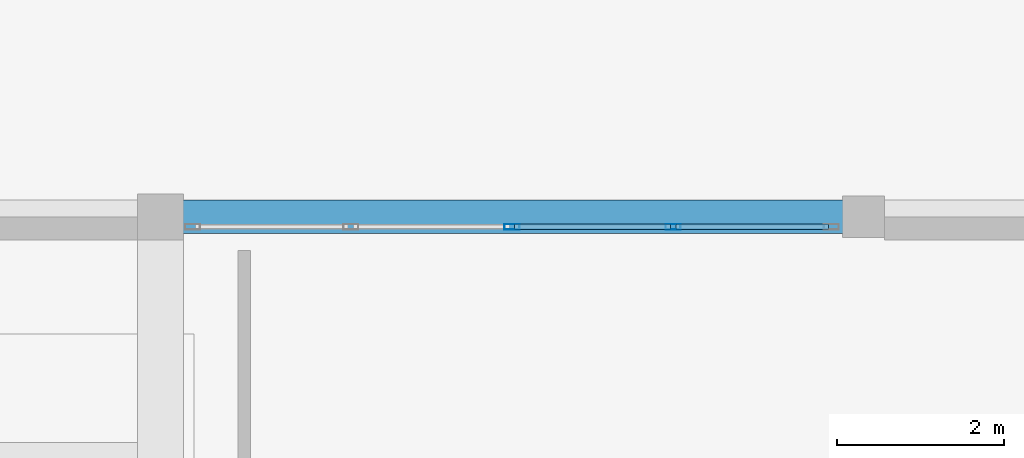
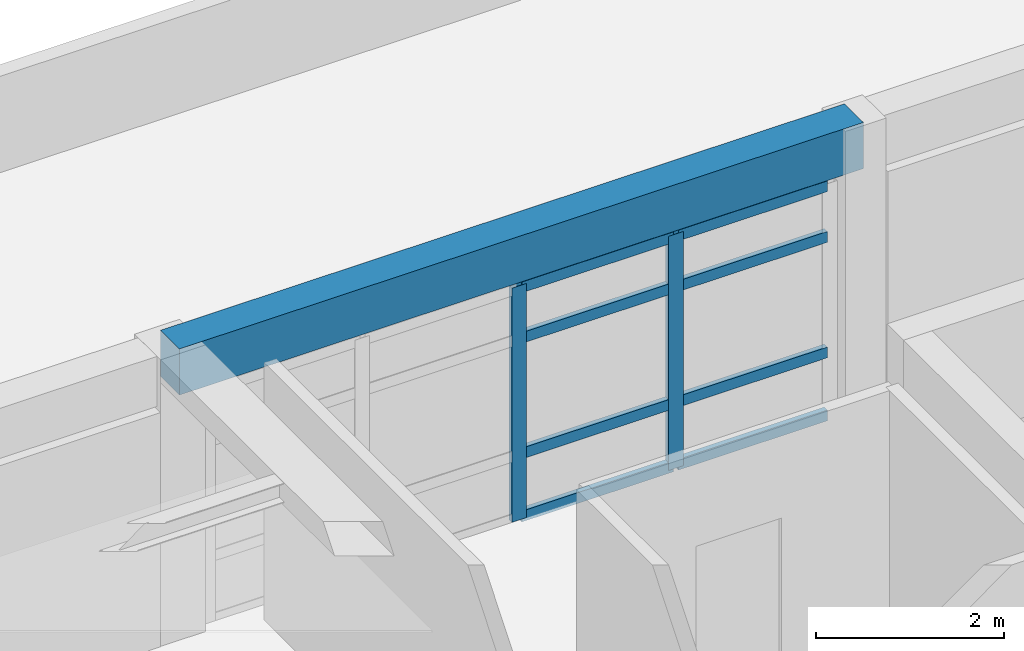
# One storey, part 11 of 22: 10 members, 1 beam, 1 element without a shape of its own.
"""IFC4 building model written with IfcOpenShell, lengths in metres."""

from ifc_helpers import new_model, si_unit, direction, frame, origin, origin_2d, place, context, subcontext, project, spatial, rectangle, hollow_rectangle, extrude, material, material_profile, profile_set, type_object, element, aggregate, save


model = new_model("IFC4")

# Units and contexts
model_context = context("Model", 3, precision=1e-05, world=origin(), true_north=direction((0.0, 1.0)))
body_context = subcontext(model_context, "Body", "Model", "MODEL_VIEW")
ifc_project = project(units=[si_unit("LENGTHUNIT", "METRE"), si_unit("AREAUNIT", "SQUARE_METRE"), si_unit("VOLUMEUNIT", "CUBIC_METRE"), si_unit("PLANEANGLEUNIT", "RADIAN"), si_unit("MASSUNIT", "GRAM", prefix="KILO")], contexts=[model_context])

# Site, building, storey
site_placement = place(None, origin())
site = spatial("IfcSite", under=ifc_project, at=site_placement, CompositionType="ELEMENT")
building_placement = place(site_placement, origin())
building = spatial("IfcBuilding", under=site, at=building_placement, Name="Almacenes y Pasaje Nevantli", CompositionType="ELEMENT")
storey_placement = place(building_placement, frame((0.0, 0.0, 58.699951171875)))
storey = spatial("IfcBuildingStorey", under=building, at=storey_placement, Name="L14", CompositionType="ELEMENT", Elevation=58.699951171875)

# Beam
ifc_material_1 = material(Name="Concrete C35/45", Category="concrete")
ifc_material_profile_1 = material_profile(ifc_material_1, rectangle(XDim=0.39990234375, YDim=0.60009765625, at=origin_2d()), Name="RC-BM-400x600")
ifc_profile_set_1 = profile_set([ifc_material_profile_1], Name="Concrete C35/45")
beam_type = type_object("IfcBeamType", Name="BM-RC-400x600", PredefinedType="SPANDREL", material=ifc_profile_set_1)
beam_placement = place(storey_placement, frame((126.0, 92.39990234375, 3.420166015625), z_axis=(1.0, 0.0, 0.0), x_axis=(0.0, 1.0, 0.0)))
element("IfcBeam", 1, at=beam_placement, inside=storey, type_object=beam_type, Name="L14 East-West Reinforced Concrete Beam #3998", PredefinedType="SPANDREL", context=body_context, shape_type="SweptSolid", body=[
    extrude(rectangle(XDim=0.39990234375, YDim=0.60009765625, at=origin_2d()), origin(), (0.0, 0.0, 1.0), 8.39990234375),
])

# Curtain wall, members
ifc_material_2 = material(Name="Thermally Broken Aluminium and Low-E Glass", Category="aluminium")
curtain_wall_type = type_object("IfcCurtainWallType", Name="CW-UNIT-TOWER", PredefinedType="USERDEFINED", material=ifc_material_2)
curtain_wall_placement = place(storey_placement, origin())
curtain_wall = element("IfcCurtainWall", 2, at=curtain_wall_placement, inside=storey, type_object=curtain_wall_type, Name="L14 Tower North Boulevard Unitized Curtain Wall Bay 16", ObjectType="UNITIZED CURTAIN WALL", PredefinedType="USERDEFINED")
ifc_material_3 = material(Name="Thermally Broken Anodized Aluminium", Category="aluminium")
ifc_material_profile_2 = material_profile(ifc_material_3, hollow_rectangle(XDim=0.06494140625, YDim=0.179931640625, WallThickness=0.00390625, at=origin_2d()), Name="ALU-MUL-65x180")
ifc_profile_set_2 = profile_set([ifc_material_profile_2], Name="Thermally Broken Anodized Aluminium")
member_type_1 = type_object("IfcMemberType", Name="CW-MUL-200", PredefinedType="MULLION", material=ifc_profile_set_2)
member_1_placement = place(storey_placement, frame((130.199951171875, 92.280029296875, 0.0), z_axis=(0.0, 0.0, 1.0), x_axis=(0.0, 1.0, 0.0)))
member_1 = element("IfcMember", 3, at=member_1_placement, type_object=member_type_1, Name="CW-L14-178 mullion 3", PredefinedType="MULLION", context=body_context, shape_type="SweptSolid", body=[
    extrude(hollow_rectangle(XDim=0.06494140625, YDim=0.179931640625, WallThickness=0.00390625, at=origin_2d()), origin(), (0.0, 0.0, 1.0), 3.0400390625),
])
member_2_placement = place(storey_placement, frame((132.125, 92.280029296875, 0.0), z_axis=(0.0, 0.0, 1.0), x_axis=(0.0, 1.0, 0.0)))
member_2 = element("IfcMember", 4, at=member_2_placement, type_object=member_type_1, Name="CW-L14-178 mullion 4", PredefinedType="MULLION", context=body_context, shape_type="SweptSolid", body=[
    extrude(hollow_rectangle(XDim=0.06494140625, YDim=0.179931640625, WallThickness=0.00390625, at=origin_2d()), origin(), (0.0, 0.0, 1.0), 3.0400390625),
])
ifc_material_4 = material(Name="Thermally Broken Anodized Aluminium", Category="aluminium")
ifc_material_profile_3 = material_profile(ifc_material_4, hollow_rectangle(XDim=0.06494140625, YDim=0.139892578125, WallThickness=0.00390625, at=origin_2d()), Name="ALU-TRN-65x140")
ifc_profile_set_3 = profile_set([ifc_material_profile_3], Name="Thermally Broken Anodized Aluminium")
member_type_2 = type_object("IfcMemberType", Name="CW-TRN-150", PredefinedType="USERDEFINED", material=ifc_profile_set_3)
member_3_placement = place(storey_placement, frame((130.232421875, 92.280029296875, 0.032470703125), z_axis=(1.0, 0.0, 0.0), x_axis=(0.0, 1.0, 0.0)))
member_3 = element("IfcMember", 5, at=member_3_placement, type_object=member_type_2, Name="CW-L14-178 transom 3.1", ObjectType="TRANSOM", PredefinedType="USERDEFINED", context=body_context, shape_type="SweptSolid", body=[
    extrude(hollow_rectangle(XDim=0.06494140625, YDim=0.139892578125, WallThickness=0.00390625, at=origin_2d()), origin(), (0.0, 0.0, 1.0), 1.860107421875),
])
member_4_placement = place(storey_placement, frame((130.232421875, 92.280029296875, 0.85009765625), z_axis=(1.0, 0.0, 0.0), x_axis=(0.0, 1.0, 0.0)))
member_4 = element("IfcMember", 6, at=member_4_placement, type_object=member_type_2, Name="CW-L14-178 transom 3.2", ObjectType="TRANSOM", PredefinedType="USERDEFINED", context=body_context, shape_type="SweptSolid", body=[
    extrude(hollow_rectangle(XDim=0.06494140625, YDim=0.139892578125, WallThickness=0.00390625, at=origin_2d()), origin(), (0.0, 0.0, 1.0), 1.860107421875),
])
member_5_placement = place(storey_placement, frame((130.232421875, 92.280029296875, 2.35009765625), z_axis=(1.0, 0.0, 0.0), x_axis=(0.0, 1.0, 0.0)))
member_5 = element("IfcMember", 7, at=member_5_placement, type_object=member_type_2, Name="CW-L14-178 transom 3.3", ObjectType="TRANSOM", PredefinedType="USERDEFINED", context=body_context, shape_type="SweptSolid", body=[
    extrude(hollow_rectangle(XDim=0.06494140625, YDim=0.139892578125, WallThickness=0.00390625, at=origin_2d()), origin(), (0.0, 0.0, 1.0), 1.860107421875),
])
member_6_placement = place(storey_placement, frame((130.232421875, 92.280029296875, 3.007568359375), z_axis=(1.0, 0.0, 0.0), x_axis=(0.0, 1.0, 0.0)))
member_6 = element("IfcMember", 8, at=member_6_placement, type_object=member_type_2, Name="CW-L14-178 transom 3.4", ObjectType="TRANSOM", PredefinedType="USERDEFINED", context=body_context, shape_type="SweptSolid", body=[
    extrude(hollow_rectangle(XDim=0.06494140625, YDim=0.139892578125, WallThickness=0.00390625, at=origin_2d()), origin(), (0.0, 0.0, 1.0), 1.860107421875),
])
member_7_placement = place(storey_placement, frame((132.157470703125, 92.280029296875, 0.032470703125), z_axis=(1.0, 0.0, 0.0), x_axis=(0.0, 1.0, 0.0)))
member_7 = element("IfcMember", 9, at=member_7_placement, type_object=member_type_2, Name="CW-L14-178 transom 4.1", ObjectType="TRANSOM", PredefinedType="USERDEFINED", context=body_context, shape_type="SweptSolid", body=[
    extrude(hollow_rectangle(XDim=0.06494140625, YDim=0.139892578125, WallThickness=0.00390625, at=origin_2d()), origin(), (0.0, 0.0, 1.0), 1.82763671875),
])
member_8_placement = place(storey_placement, frame((132.157470703125, 92.280029296875, 0.85009765625), z_axis=(1.0, 0.0, 0.0), x_axis=(0.0, 1.0, 0.0)))
member_8 = element("IfcMember", 10, at=member_8_placement, type_object=member_type_2, Name="CW-L14-178 transom 4.2", ObjectType="TRANSOM", PredefinedType="USERDEFINED", context=body_context, shape_type="SweptSolid", body=[
    extrude(hollow_rectangle(XDim=0.06494140625, YDim=0.139892578125, WallThickness=0.00390625, at=origin_2d()), origin(), (0.0, 0.0, 1.0), 1.82763671875),
])
member_9_placement = place(storey_placement, frame((132.157470703125, 92.280029296875, 2.35009765625), z_axis=(1.0, 0.0, 0.0), x_axis=(0.0, 1.0, 0.0)))
member_9 = element("IfcMember", 11, at=member_9_placement, type_object=member_type_2, Name="CW-L14-178 transom 4.3", ObjectType="TRANSOM", PredefinedType="USERDEFINED", context=body_context, shape_type="SweptSolid", body=[
    extrude(hollow_rectangle(XDim=0.06494140625, YDim=0.139892578125, WallThickness=0.00390625, at=origin_2d()), origin(), (0.0, 0.0, 1.0), 1.82763671875),
])
member_10_placement = place(storey_placement, frame((132.157470703125, 92.280029296875, 3.007568359375), z_axis=(1.0, 0.0, 0.0), x_axis=(0.0, 1.0, 0.0)))
member_10 = element("IfcMember", 12, at=member_10_placement, type_object=member_type_2, Name="CW-L14-178 transom 4.4", ObjectType="TRANSOM", PredefinedType="USERDEFINED", context=body_context, shape_type="SweptSolid", body=[
    extrude(hollow_rectangle(XDim=0.06494140625, YDim=0.139892578125, WallThickness=0.00390625, at=origin_2d()), origin(), (0.0, 0.0, 1.0), 1.82763671875),
])
aggregate(curtain_wall, [member_1, member_2, member_3, member_4, member_5, member_6, member_7, member_8, member_9, member_10])

save(model, "model.ifc")
